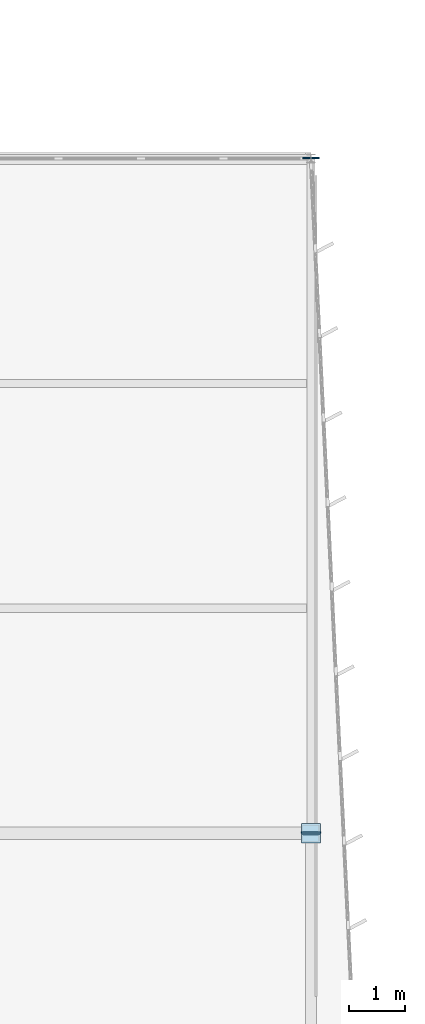
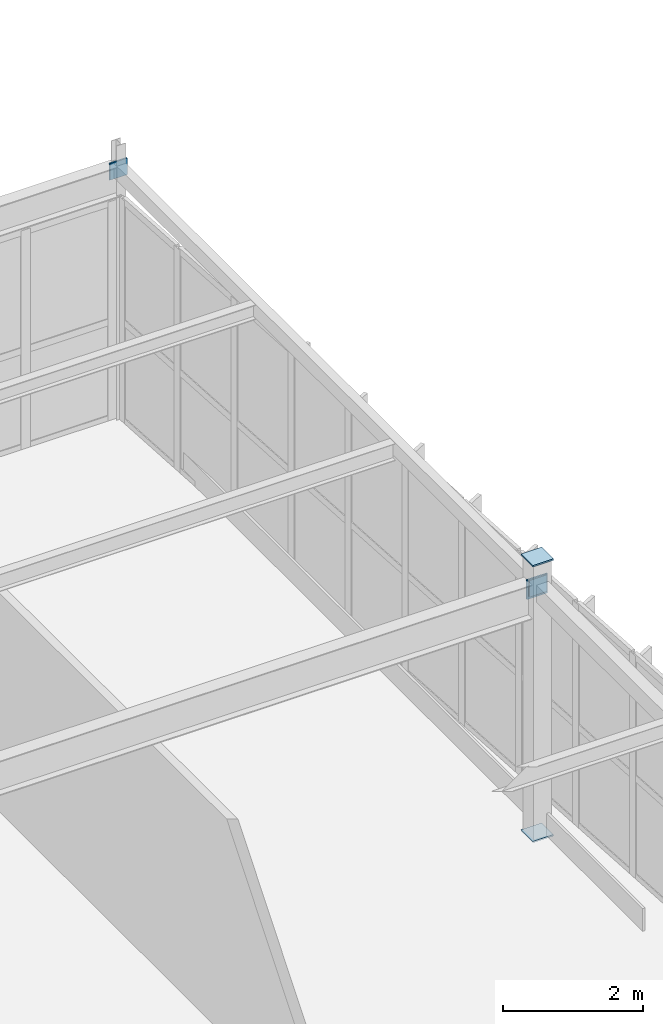
# One storey, part 183 of 226: 5 plates.
"""IFC4 building model written with IfcOpenShell, lengths in metres."""

import ifcopenshell
import ifcopenshell.guid

model = None  # the IFC model being written
_history = None  # IfcOwnerHistory: only IFC2X3 demands one
_inside = {}  # id of a spatial element -> (the spatial element, [elements in it])
_under = {}  # id of a project, library or spatial element -> (it, [spatial elements below it])
_declared = {}  # id of a project -> (the project, [libraries it declares])
_typed = {}  # id of a type object -> (the type object, [elements of that type])
_made_of = {}  # id of a material, layer set ... -> (it, [elements and type objects made of it])


def new_model(schema):
    """Start an empty IFC model of exactly this schema.

    Asked for "IFC4X3", IfcOpenShell would pick the latest addendum, in which some entities
    have other attributes; the version numbers below select the first issue.
    IFC2X3 requires an IfcOwnerHistory on every rooted entity: one is made here for all.
    """
    global model, _history
    if schema == "IFC4X3":
        model = ifcopenshell.file(schema_version=(4, 3, 0, 0))
    else:
        model = ifcopenshell.file(schema=schema)
    _inside.clear()
    _under.clear()
    _declared.clear()
    _typed.clear()
    _made_of.clear()
    _history = None
    if model.schema == "IFC2X3":
        org = make("IfcOrganization", Name="unknown")
        user = make(
            "IfcPersonAndOrganization",
            ThePerson=make("IfcPerson", FamilyName="unknown"),
            TheOrganization=org,
        )
        app = make(
            "IfcApplication",
            ApplicationDeveloper=org,
            Version="unknown",
            ApplicationFullName="unknown",
            ApplicationIdentifier="unknown",
        )
        _history = make(
            "IfcOwnerHistory",
            OwningUser=user,
            OwningApplication=app,
            ChangeAction="ADDED",
            CreationDate=0,
        )
    return model


def make(cls, **values):
    """One entity of the class cls with the attributes given. An attribute that is None is left unset."""
    return model.create_entity(
        cls, **{name: value for name, value in values.items() if value is not None}
    )


def rooted(cls, **values):
    """An entity with a GlobalId (a new one), such as an element, a storey or a relation."""
    return make(cls, GlobalId=ifcopenshell.guid.new(), OwnerHistory=_history, **values)


def si_unit(unit_type, name, prefix=None):
    """IfcSIUnit, for example si_unit("LENGTHUNIT", "METRE", prefix="MILLI")."""
    return make("IfcSIUnit", UnitType=unit_type, Prefix=prefix, Name=name)


def assignment(units):
    """IfcUnitAssignment: the units of a project."""
    return None if units is None else make("IfcUnitAssignment", Units=units)


def point(xyz):
    """IfcCartesianPoint."""
    return None if xyz is None else make("IfcCartesianPoint", Coordinates=xyz)


def direction(xyz):
    """IfcDirection."""
    return None if xyz is None else make("IfcDirection", DirectionRatios=xyz)


def frame(location, z_axis=None, x_axis=None):
    """IfcAxis2Placement3D, a coordinate frame: its origin and axes. An axis left out is left unset."""
    return make(
        "IfcAxis2Placement3D",
        Location=point(location),
        Axis=direction(z_axis),
        RefDirection=direction(x_axis),
    )


def frame_2d(location, x_axis=None):
    """IfcAxis2Placement2D, a coordinate frame in the plane: its origin and x axis."""
    return make(
        "IfcAxis2Placement2D", Location=point(location), RefDirection=direction(x_axis)
    )


def origin():
    """The frame at (0, 0, 0) with its axes left unset."""
    return frame((0.0, 0.0, 0.0))


def origin_2d():
    """The frame at (0, 0) in the plane with its x axis left unset."""
    return frame_2d((0.0, 0.0))


def place(relative_to, where):
    """IfcLocalPlacement: puts the frame where relative to a parent placement (None: the world)."""
    return make(
        "IfcLocalPlacement", PlacementRelTo=relative_to, RelativePlacement=where
    )


def context(
    kind, dimensions, precision=None, world=None, true_north=None, identifier=None
):
    """IfcGeometricRepresentationContext, for example the 3D "Model" context."""
    return make(
        "IfcGeometricRepresentationContext",
        ContextIdentifier=identifier,
        ContextType=kind,
        CoordinateSpaceDimension=dimensions,
        Precision=precision,
        WorldCoordinateSystem=world,
        TrueNorth=true_north,
    )


def subcontext(parent, identifier, kind, view, scale=None):
    """IfcGeometricRepresentationSubContext, for example "Body" below "Model"."""
    return make(
        "IfcGeometricRepresentationSubContext",
        ContextIdentifier=identifier,
        ContextType=kind,
        ParentContext=parent,
        TargetScale=scale,
        TargetView=view,
    )


def project(units=None, contexts=None):
    """IfcProject with its units and contexts."""
    return rooted(
        "IfcProject",
        Name="project",
        RepresentationContexts=contexts,
        UnitsInContext=assignment(units),
    )


def spatial(cls, under=None, at=None, **own):
    """A site, building, storey or space (cls), placed at a placement, below another one or the project."""
    s = rooted(cls, ObjectPlacement=at, **own)
    if under is not None:
        _under.setdefault(under.id(), (under, []))[1].append(s)
    return s


def profile(cls, at=None, kind="AREA", **sizes):
    """A parametric profile (cls). Its sizes go by their IFC names, for example OverallWidth=200.0."""
    return make(cls, ProfileType=kind, Position=at, **sizes)


def rectangle(**sizes):
    """IfcRectangleProfileDef."""
    return profile("IfcRectangleProfileDef", **sizes)


def extrude(swept, where, along, depth):
    """IfcExtrudedAreaSolid: the profile swept, set in the frame where, extruded along a direction by depth."""
    return make(
        "IfcExtrudedAreaSolid",
        SweptArea=swept,
        Position=where,
        ExtrudedDirection=direction(along),
        Depth=depth,
    )


def shape(context_of_items, identifier, shape_type, items):
    """IfcShapeRepresentation: the items that make up one representation, for example the "Body"."""
    return make(
        "IfcShapeRepresentation",
        ContextOfItems=context_of_items,
        RepresentationIdentifier=identifier,
        RepresentationType=shape_type,
        Items=items,
    )


def material(Name=None, Category=None):
    """IfcMaterial."""
    return make("IfcMaterial", Name=Name, Category=Category)


def layer(
    of_material, thickness, ventilated=None, Name=None, Category=None, Priority=None
):
    """IfcMaterialLayer: one layer of a wall or slab, of a material (None: an air gap)."""
    return make(
        "IfcMaterialLayer",
        Material=of_material,
        LayerThickness=thickness,
        IsVentilated=ventilated,
        Name=Name,
        Category=Category,
        Priority=Priority,
    )


def layer_set(layers, Name=None):
    """IfcMaterialLayerSet."""
    return make("IfcMaterialLayerSet", MaterialLayers=layers, LayerSetName=Name)


def made_of(thing, what):
    """Note that an element or type object is made of a material, layer set ...; save() writes the relation."""
    if what is not None:
        _made_of.setdefault(what.id(), (what, []))[1].append(thing)
    return thing


def type_object(cls, material=None, **own):
    """A type object (cls), such as IfcWallType, which elements share."""
    return made_of(rooted(cls, **own), material)


def element(
    cls,
    number,
    at=None,
    inside=None,
    cuts=None,
    type_object=None,
    material=None,
    context=None,
    identifier="Body",
    shape_type=None,
    held_by="IfcProductDefinitionShape",
    body=None,
    shapes=None,
    **own,
):
    """One element of the class cls, such as IfcWall. Its Tag is "e" and its number.

    at: its placement. inside: the storey or other place that contains it. cuts: it is an
    opening in that element (IfcRelVoidsElement). A single representation is given by context,
    identifier, shape_type and body (its items); several are given by shapes. held_by: the class
    of the entity that holds the representations. save() writes the other relations.
    """
    e = rooted(cls, Tag="e%d" % number, ObjectPlacement=at, **own)
    if body is not None:
        shapes = [shape(context, identifier, shape_type, body)]
    if shapes is not None:
        e.Representation = make(held_by, Representations=shapes)
    if inside is not None:
        _inside.setdefault(inside.id(), (inside, []))[1].append(e)
    if cuts is not None:
        rooted(
            "IfcRelVoidsElement", RelatingBuildingElement=cuts, RelatedOpeningElement=e
        )
    if type_object is not None:
        _typed.setdefault(type_object.id(), (type_object, []))[1].append(e)
    return made_of(e, material)


def aggregate(whole, parts):
    """IfcRelAggregates: a whole, such as a stair, and the parts it consists of."""
    return rooted("IfcRelAggregates", RelatingObject=whole, RelatedObjects=parts)


def save(model, path):
    """Write the relations noted so far, then the file.

    IfcRelAggregates (storeys below a building ...), IfcRelContainedInSpatialStructure (elements
    in a storey), IfcRelDefinesByType, IfcRelAssociatesMaterial and IfcRelDeclares: one each for
    every whole, place, type object, material and project.
    """
    for whole, parts in _under.values():
        aggregate(whole, parts)
    for where, things in _inside.values():
        rooted(
            "IfcRelContainedInSpatialStructure",
            RelatedElements=things,
            RelatingStructure=where,
        )
    for kind, things in _typed.values():
        rooted("IfcRelDefinesByType", RelatedObjects=things, RelatingType=kind)
    for what, things in _made_of.values():
        rooted("IfcRelAssociatesMaterial", RelatedObjects=things, RelatingMaterial=what)
    for by, libraries in _declared.values():
        rooted("IfcRelDeclares", RelatingContext=by, RelatedDefinitions=libraries)
    model.write(path)


model = new_model("IFC4")

# Units and contexts
model_context = context("Model", 3, precision=1e-05, world=origin(), true_north=direction((0.0, 1.0)))
body_context = subcontext(model_context, "Body", "Model", "MODEL_VIEW")
ifc_project = project(units=[si_unit("LENGTHUNIT", "METRE"), si_unit("AREAUNIT", "SQUARE_METRE"), si_unit("VOLUMEUNIT", "CUBIC_METRE"), si_unit("PLANEANGLEUNIT", "RADIAN"), si_unit("MASSUNIT", "GRAM", prefix="KILO")], contexts=[model_context])

# Site, building, storey
site_placement = place(None, origin())
site = spatial("IfcSite", under=ifc_project, at=site_placement, CompositionType="ELEMENT")
building_placement = place(site_placement, origin())
building = spatial("IfcBuilding", under=site, at=building_placement, Name="Tarnwether General Hospital", CompositionType="ELEMENT")
storey_placement = place(building_placement, frame((0.0, 0.0, 4.800048828125)))
storey = spatial("IfcBuildingStorey", under=building, at=storey_placement, Name="L01", CompositionType="ELEMENT", Elevation=4.800048828125)

# Plates
ifc_material = material(Name="Steel Grade 350 (350 MPa)", Category="steel")
ifc_layer = layer(ifc_material, 0.02490234375)
ifc_layer_set = layer_set([ifc_layer], Name="Steel Grade 350 (350 MPa)")
plate_type = type_object("IfcPlateType", Name="PT-GUS2", PredefinedType="USERDEFINED", material=ifc_layer_set)
for number, where, z_axis, x_axis, name in (
    (1, (192.0, 33.60009765625, -0.02490234375), (0.0, 0.0, 1.0), (1.0, 0.0, 0.0), "Hollow Section Welded End Cap Plate 0409"),
    (2, (192.0, 33.60009765625, 4.800048828125), (0.0, 0.0, 1.0), (1.0, 0.0, 0.0), "Hollow Section Welded End Cap Plate 0410"),
):
    element("IfcPlate", number, at=place(storey_placement, frame(where, z_axis=z_axis, x_axis=x_axis)), inside=storey, type_object=plate_type, Name=name, ObjectType="GUSSET", PredefinedType="USERDEFINED", context=body_context, shape_type="SweptSolid", body=[
        extrude(rectangle(XDim=0.340087890625, YDim=0.340087890625, at=origin_2d()), origin(), (0.0, 0.0, 1.0), 0.02490234375),
    ])
plate_placement = place(storey_placement, frame((192.0, 33.612548828125, 4.125), z_axis=(0.0, 0.0, 1.0), x_axis=(0.0, 1.0, 0.0)))
element("IfcPlate", 3, at=plate_placement, inside=storey, type_object=plate_type, Name="Hollow Section Welded End Cap Plate 0942", ObjectType="GUSSET", PredefinedType="USERDEFINED", context=body_context, shape_type="SweptSolid", body=[
    extrude(rectangle(XDim=0.02490234375, YDim=0.340087890625, at=origin_2d()), origin(), (0.0, 0.0, 1.0), 0.340087890625),
])
for number, where, z_axis, x_axis, name in (
    (4, (192.0, 33.58740234375, 4.175048828125), (0.0, 0.0, 1.0), (0.0, 1.0, 0.0), "Hollow Section Welded End Cap Plate 0943"),
    (5, (192.0, 45.612548828125, 4.175048828125), (0.0, 0.0, 1.0), (0.0, 1.0, 0.0), "Hollow Section Welded End Cap Plate 0944"),
):
    element("IfcPlate", number, at=place(storey_placement, frame(where, z_axis=z_axis, x_axis=x_axis)), inside=storey, type_object=plate_type, Name=name, ObjectType="GUSSET", PredefinedType="USERDEFINED", context=body_context, shape_type="SweptSolid", body=[
        extrude(rectangle(XDim=0.02490234375, YDim=0.2900390625, at=origin_2d()), origin(), (0.0, 0.0, 1.0), 0.2900390625),
    ])

save(model, "model.ifc")
